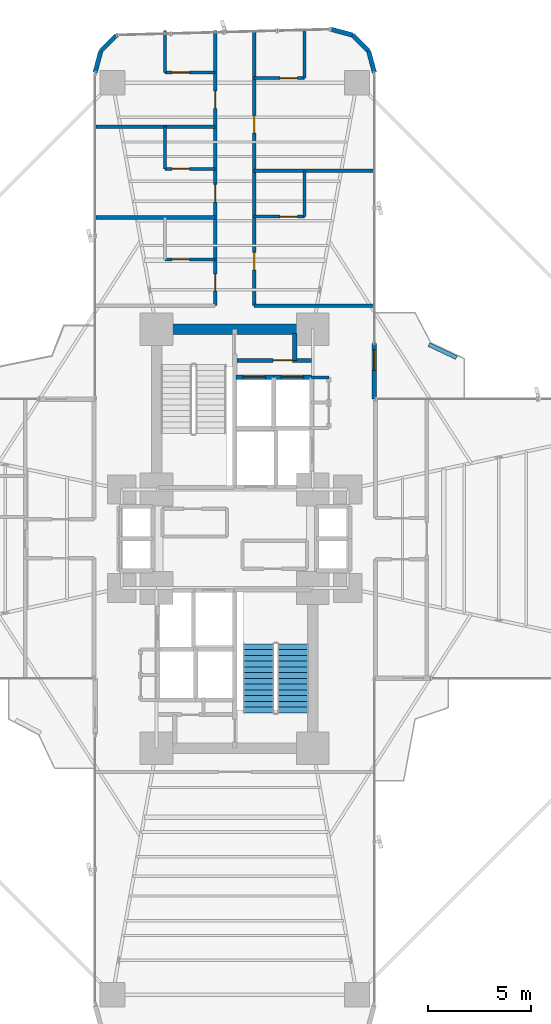
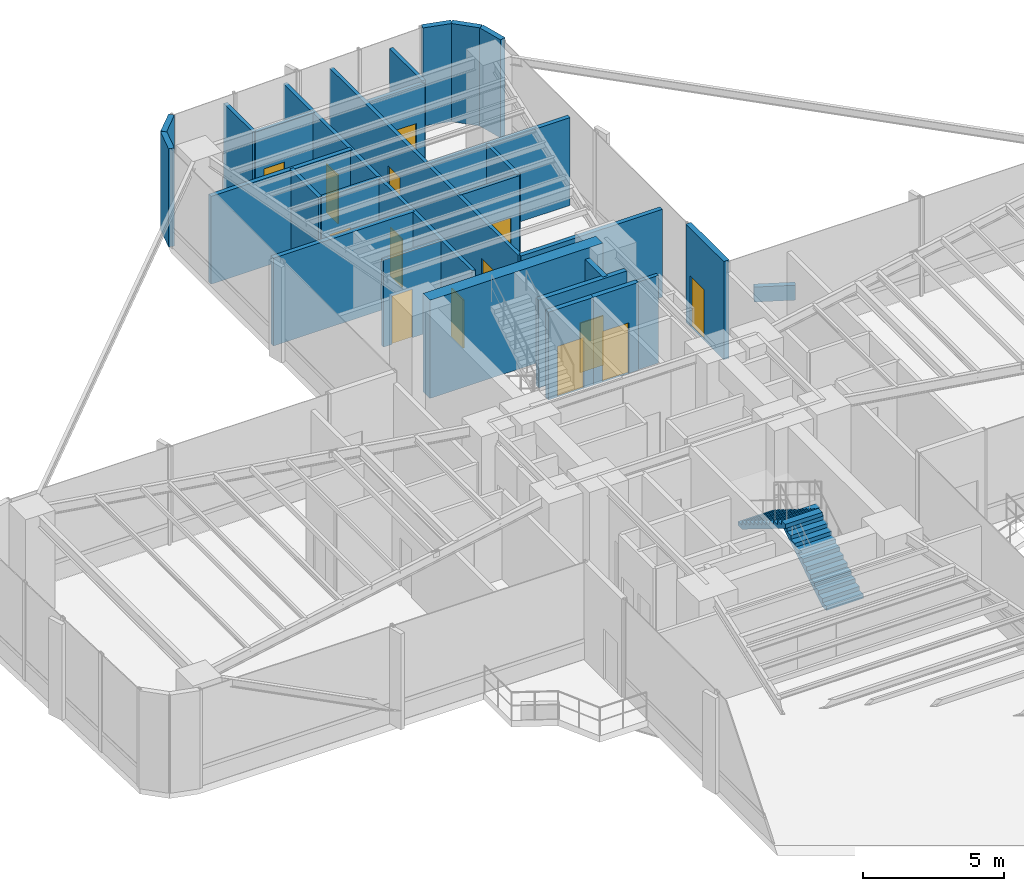
# One storey, part 18 of 20: 28 walls, 14 doors, 2 stair flights, 14 openings, 1 element without a shape of its own.
"""IFC4 building model written with IfcOpenShell, lengths in metres."""

from ifc_helpers import new_model, si_unit, direction, frame, frame_2d, origin, origin_2d, place, context, subcontext, project, spatial, polyline, rectangle, outline, extrude, source, transform, mapped, material, layer, layer_set, type_object, element, fill, aggregate, save


model = new_model("IFC4")

# Units and contexts
model_context = context("Model", 3, precision=1e-05, world=origin(), true_north=direction((0.0, 1.0)))
body_context = subcontext(model_context, "Body", "Model", "MODEL_VIEW")
ifc_project = project(units=[si_unit("LENGTHUNIT", "METRE"), si_unit("AREAUNIT", "SQUARE_METRE"), si_unit("VOLUMEUNIT", "CUBIC_METRE"), si_unit("PLANEANGLEUNIT", "RADIAN"), si_unit("MASSUNIT", "GRAM", prefix="KILO")], contexts=[model_context])

# Site, building, storey
site_placement = place(None, origin())
site = spatial("IfcSite", under=ifc_project, at=site_placement, CompositionType="ELEMENT")
building_placement = place(site_placement, origin())
building = spatial("IfcBuilding", under=site, at=building_placement, Name="Sahyath Konkavel Grand Hotel", CompositionType="ELEMENT")
storey_placement = place(building_placement, frame((0.0, 0.0, 46.550048828125)))
storey = spatial("IfcBuildingStorey", under=building, at=storey_placement, Name="L12", CompositionType="ELEMENT", Elevation=46.550048828125)

# Wall
ifc_material_1 = material(Name="Concrete C70/85", Category="concrete")
ifc_layer_1 = layer(ifc_material_1, 0.5)
ifc_layer_set_1 = layer_set([ifc_layer_1], Name="Concrete C70/85")
wall_type_1 = type_object("IfcWallType", Name="CWALL-500", PredefinedType="SHEAR", material=ifc_layer_set_1)
wall_1_placement = place(storey_placement, frame((-3.550048828125, 10.199951171875, 0.0), z_axis=(0.0, 0.0, 1.0), x_axis=(1.0, 0.0, 0.0)))
element("IfcWall", 1, at=wall_1_placement, inside=storey, type_object=wall_type_1, Name="L12 North Core Shear Wall N", PredefinedType="SHEAR", context=body_context, shape_type="SweptSolid", body=[
    extrude(rectangle(XDim=7.10009765625, YDim=0.5, at=frame_2d((3.550048828125, 0.0))), origin(), (0.0, 0.0, 1.0), 4.260009765625),
])

# Wall, opening, door
ifc_material_2 = material(Name="Warm Buff Sandstone Insulated Concrete C40/50", Category="masonry")
ifc_layer_2 = layer(ifc_material_2, 0.219970703125)
ifc_layer_set_2 = layer_set([ifc_layer_2], Name="Warm Buff Sandstone Insulated Concrete C40/50")
wall_type_2 = type_object("IfcWallType", Name="WLL-BALC-THRESH", PredefinedType="STANDARD", material=ifc_layer_set_2)
wall_2_placement = place(storey_placement, frame((6.800048828125, 6.800048828125, 0.0), z_axis=(0.0, 0.0, 1.0), x_axis=(0.0, 1.0, 0.0)))
wall_2 = element("IfcWall", 2, at=wall_2_placement, inside=storey, type_object=wall_type_2, Name="L12 Winter-Garden Threshold Wall 8", PredefinedType="STANDARD", context=body_context, shape_type="SweptSolid", body=[
    extrude(rectangle(XDim=2.699951171875, YDim=0.219970703125, at=frame_2d((1.35009765625, 0.0))), origin(), (0.0, 0.0, 1.0), 4.260009765625),
])
opening_1_placement = place(wall_2_placement, frame((1.39990234375, 0.0, 0.0)))
opening_1 = element("IfcOpeningElement", 3, at=opening_1_placement, cuts=wall_2, Name="Opening D-TR1", PredefinedType="OPENING", context=body_context, shape_type="SweptSolid", body=[
    extrude(rectangle(XDim=1.0, YDim=2.199951171875, at=frame_2d((0.5, 1.10009765625))), frame((0.0, 0.1201171875, 0.0), z_axis=(0.0, -1.0, 0.0), x_axis=(1.0, 0.0, 0.0)), (0.0, 0.0, 1.0), 0.239990234375),
])
ifc_material_3 = material(Name="Anodised Bronze Aluminium & Low-E Glazing", Category="aluminium")
door_type_1 = type_object("IfcDoorType", Name="DR-TERRACE-1000", OperationType="NOTDEFINED", PredefinedType="DOOR", material=ifc_material_3)
shared_shape_1 = source(origin(), body_context, "Body", "SweptSolid", [
    extrude(rectangle(XDim=1.0, YDim=0.050048828125, at=origin_2d()), origin(), (0.0, 0.0, 1.0), 2.199951171875),
])
door_1_placement = place(opening_1_placement, frame((0.5, 0.0, 0.0)))
door_1 = element("IfcDoor", 4, at=door_1_placement, inside=storey, type_object=door_type_1, Name="L12 Winter-Garden Terrace Door 8", OperationType="SINGLE_SWING_LEFT", OverallHeight=2.199951171875, OverallWidth=1.0, PredefinedType="DOOR", context=body_context, shape_type="MappedRepresentation", body=[
    mapped(shared_shape_1, transform((0.0, 0.0, 0.0), scale=1.0)),
])
fill(opening_1, door_1)

# Walls
for number, where, z_axis, x_axis, name in (
    (5, (6.800048828125, 22.699951171875, 0.0), (0.0, 0.0, 1.0), (-0.25872485917, 0.965951058412, 0.0), "L12 Rounded Corner Sandstone Pier 9"),
    (6, (6.518798828125, 23.75, 0.0), (0.0, 0.0, 1.0), (-0.707106781187, 0.707106781187, 0.0), "L12 Rounded Corner Sandstone Pier 10"),
    (7, (5.75, 24.518798828125, 0.0), (0.0, 0.0, 1.0), (-0.965951058412, 0.25872485917, 0.0), "L12 Rounded Corner Sandstone Pier 11"),
    (8, (-5.75, 24.518798828125, 0.0), (0.0, 0.0, 1.0), (-0.707106781187, -0.707106781187, 0.0), "L12 Rounded Corner Sandstone Pier 13"),
    (9, (-6.518798828125, 23.75, 0.0), (0.0, 0.0, 1.0), (-0.25872485917, -0.965951058412, 0.0), "L12 Rounded Corner Sandstone Pier 14"),
):
    element("IfcWall", number, at=place(storey_placement, frame(where, z_axis=z_axis, x_axis=x_axis)), inside=storey, type_object=wall_type_2, Name=name, PredefinedType="STANDARD", context=body_context, shape_type="SweptSolid", body=[
        extrude(rectangle(XDim=1.087158203125, YDim=0.219970703125, at=frame_2d((0.54345703125, 0.0))), origin(), (0.0, 0.0, 1.0), 4.260009765625),
    ])

# Wall, opening, door
ifc_material_4 = material(Name="Concrete C40/50", Category="concrete")
ifc_layer_3 = layer(ifc_material_4, 0.199951171875)
ifc_layer_set_3 = layer_set([ifc_layer_3], Name="Concrete C40/50")
wall_type_3 = type_object("IfcWallType", Name="WLL-CORE-200", PredefinedType="SOLIDWALL", material=ifc_layer_set_3)
wall_3_placement = place(storey_placement, frame((0.050048828125, 7.860107421875, 0.0), z_axis=(0.0, 0.0, 1.0), x_axis=(1.0, 0.0, 0.0)))
wall_3 = element("IfcWall", 10, at=wall_3_placement, inside=storey, type_object=wall_type_3, Name="L12 Partition SH-PL1-N", PredefinedType="SOLIDWALL", context=body_context, shape_type="SweptSolid", body=[
    extrude(rectangle(XDim=1.849853515625, YDim=0.199951171875, at=frame_2d((0.9248046875, 0.0))), origin(), (0.0, 0.0, 1.0), 3.81005859375),
])
opening_2_placement = place(wall_3_placement, frame((0.360107421875, 0.0, 0.0)))
opening_2 = element("IfcOpeningElement", 11, at=opening_2_placement, cuts=wall_3, Name="Opening LD-11", PredefinedType="OPENING", context=body_context, shape_type="SweptSolid", body=[
    extrude(rectangle(XDim=1.10009765625, YDim=2.199951171875, at=frame_2d((0.550048828125, 1.10009765625))), frame((0.0, 0.10986328125, 0.0), z_axis=(0.0, -1.0, 0.0), x_axis=(1.0, 0.0, 0.0)), (0.0, 0.0, 1.0), 0.219970703125),
])
ifc_material_5 = material(Name="Bronze Lift Landing Door 1100")
door_type_2 = type_object("IfcDoorType", Name="DR-LIFT-1100", OperationType="DOUBLE_DOOR_SLIDING", PredefinedType="DOOR", material=ifc_material_5)
shared_shape_2 = source(origin(), body_context, "Body", "SweptSolid", [
    extrude(rectangle(XDim=1.10009765625, YDim=0.050048828125, at=origin_2d()), origin(), (0.0, 0.0, 1.0), 2.199951171875),
])
door_2_placement = place(opening_2_placement, frame((0.550048828125, 0.0, 0.0)))
door_2 = element("IfcDoor", 12, at=door_2_placement, inside=storey, type_object=door_type_2, Name="L12 Passenger Lift PL-1 Landing Door", OperationType="DOUBLE_DOOR_SLIDING", OverallHeight=2.199951171875, OverallWidth=1.10009765625, PredefinedType="DOOR", context=body_context, shape_type="MappedRepresentation", body=[
    mapped(shared_shape_2, transform((0.0, 0.0, 0.0), scale=1.0)),
])
fill(opening_2, door_2)

wall_4_placement = place(storey_placement, frame((1.89990234375, 7.860107421875, 0.0), z_axis=(0.0, 0.0, 1.0), x_axis=(1.0, 0.0, 0.0)))
wall_4 = element("IfcWall", 13, at=wall_4_placement, inside=storey, type_object=wall_type_3, Name="L12 Partition SH-PL2-N", PredefinedType="SOLIDWALL", context=body_context, shape_type="SweptSolid", body=[
    extrude(rectangle(XDim=1.840087890625, YDim=0.199951171875, at=frame_2d((0.919921875, 0.0))), origin(), (0.0, 0.0, 1.0), 3.81005859375),
])
opening_3_placement = place(wall_4_placement, frame((0.360107421875, 0.0, 0.0)))
opening_3 = element("IfcOpeningElement", 14, at=opening_3_placement, cuts=wall_4, Name="Opening LD-11", PredefinedType="OPENING", context=body_context, shape_type="SweptSolid", body=[
    extrude(rectangle(XDim=1.10009765625, YDim=2.199951171875, at=frame_2d((0.550048828125, 1.10009765625))), frame((0.0, 0.10986328125, 0.0), z_axis=(0.0, -1.0, 0.0), x_axis=(1.0, 0.0, 0.0)), (0.0, 0.0, 1.0), 0.219970703125),
])
door_3_placement = place(opening_3_placement, frame((0.550048828125, 0.0, 0.0)))
door_3 = element("IfcDoor", 15, at=door_3_placement, inside=storey, type_object=door_type_2, Name="L12 Passenger Lift PL-2 Landing Door", OperationType="DOUBLE_DOOR_SLIDING", OverallHeight=2.199951171875, OverallWidth=1.10009765625, PredefinedType="DOOR", context=body_context, shape_type="MappedRepresentation", body=[
    mapped(shared_shape_2, transform((0.0, 0.0, 0.0), scale=1.0)),
])
fill(opening_3, door_3)

wall_5_placement = place(storey_placement, frame((0.1201171875, 8.679931640625, 0.0), z_axis=(0.0, 0.0, 1.0), x_axis=(1.0, 0.0, 0.0)))
wall_5 = element("IfcWall", 16, at=wall_5_placement, inside=storey, type_object=wall_type_3, Name="L12 North FF Lobby Separation Wall", PredefinedType="SOLIDWALL", context=body_context, shape_type="SweptSolid", body=[
    extrude(rectangle(XDim=3.619873046875, YDim=0.199951171875, at=frame_2d((1.81005859375, 0.0))), origin(), (0.0, 0.0, 1.0), 3.81005859375),
])
opening_4_placement = place(wall_5_placement, frame((1.75, 0.0, 0.0)))
opening_4 = element("IfcOpeningElement", 17, at=opening_4_placement, cuts=wall_5, Name="Opening D-F12C", PredefinedType="OPENING", context=body_context, shape_type="SweptSolid", body=[
    extrude(rectangle(XDim=0.949951171875, YDim=2.14990234375, at=frame_2d((0.47509765625, 1.074951171875))), frame((0.0, 0.10986328125, 0.0), z_axis=(0.0, -1.0, 0.0), x_axis=(1.0, 0.0, 0.0)), (0.0, 0.0, 1.0), 0.219970703125),
])
ifc_material_6 = material(Name="Steel E350 Plant Fire Door", Category="steel")
door_type_3 = type_object("IfcDoorType", Name="DR-FD120-950", OperationType="NOTDEFINED", PredefinedType="DOOR", material=ifc_material_6)
shared_shape_3 = source(origin(), body_context, "Body", "SweptSolid", [
    extrude(rectangle(XDim=0.949951171875, YDim=0.050048828125, at=origin_2d()), origin(), (0.0, 0.0, 1.0), 2.14990234375),
])
door_4_placement = place(opening_4_placement, frame((0.47509765625, 0.0, 0.0)))
door_4 = element("IfcDoor", 18, at=door_4_placement, inside=storey, type_object=door_type_3, Name="L12 North Firefighting Lobby Door", OperationType="SINGLE_SWING_LEFT", OverallHeight=2.14990234375, OverallWidth=0.949951171875, PredefinedType="DOOR", context=body_context, shape_type="MappedRepresentation", body=[
    mapped(shared_shape_3, transform((0.0, 0.0, 0.0), scale=1.0)),
])
fill(opening_4, door_4)

# Walls
wall_6_placement = place(storey_placement, frame((2.919921875, 8.679931640625, 0.0), z_axis=(0.0, 0.0, 1.0), x_axis=(0.0, 1.0, 0.0)))
element("IfcWall", 19, at=wall_6_placement, inside=storey, type_object=wall_type_3, Name="L12 Partition NFF-E2", PredefinedType="SOLIDWALL", context=body_context, shape_type="SweptSolid", body=[
    extrude(rectangle(XDim=1.320068359375, YDim=0.199951171875, at=frame_2d((0.66015625, 0.0))), origin(), (0.0, 0.0, 1.0), 3.81005859375),
])
ifc_material_7 = material(Name="Twin-Stud Acoustic Gypsum Plasterboard Partition")
ifc_layer_4 = layer(ifc_material_7, 0.179931640625)
ifc_layer_set_4 = layer_set([ifc_layer_4], Name="Twin-Stud Acoustic Gypsum Plasterboard Partition")
wall_type_4 = type_object("IfcWallType", Name="WLL-DEMISE-180", PredefinedType="PARTITIONING", material=ifc_layer_set_4)
for number, where, z_axis, x_axis, name in (
    (20, (6.75, 11.35009765625, 0.0), (0.0, 0.0, 1.0), (-1.0, 0.0, 0.0), "L12 Partition N-INR"),
    (21, (-0.949951171875, 15.637939453125, 0.0), (0.0, 0.0, 1.0), (-1.0, 0.0, 0.0), "L12 Partition N-N1L-DEM"),
    (22, (-0.949951171875, 20.06005859375, 0.0), (0.0, 0.0, 1.0), (-1.0, 0.0, 0.0), "L12 Partition N-N2L-DEM"),
    (23, (0.949951171875, 17.916015625, 0.0), (0.0, 0.0, 1.0), (1.0, 0.0, 0.0), "L12 Partition N-N1R-DEM"),
):
    element("IfcWall", number, at=place(storey_placement, frame(where, z_axis=z_axis, x_axis=x_axis)), inside=storey, type_object=wall_type_4, Name=name, PredefinedType="PARTITIONING", context=body_context, shape_type="SweptSolid", body=[
        extrude(rectangle(XDim=5.800048828125, YDim=0.179931640625, at=frame_2d((2.89990234375, 0.0))), origin(), (0.0, 0.0, 1.0), 3.81005859375),
    ])
ifc_material_8 = material(Name="Fire-Rated Gypsum Plasterboard Partition")
ifc_layer_5 = layer(ifc_material_8, 0.14990234375)
ifc_layer_set_5 = layer_set([ifc_layer_5], Name="Fire-Rated Gypsum Plasterboard Partition")
wall_type_5 = type_object("IfcWallType", Name="WLL-PART-150", PredefinedType="PARTITIONING", material=ifc_layer_set_5)
wall_7_placement = place(storey_placement, frame((3.739990234375, 7.860107421875, 0.0), z_axis=(0.0, 0.0, 1.0), x_axis=(1.0, 0.0, 0.0)))
element("IfcWall", 24, at=wall_7_placement, inside=storey, type_object=wall_type_5, Name="L12 Partition NC-FLK-N", PredefinedType="PARTITIONING", context=body_context, shape_type="SweptSolid", body=[
    extrude(rectangle(XDim=0.840087890625, YDim=0.14990234375, at=frame_2d((0.419921875, 0.0))), origin(), (0.0, 0.0, 1.0), 3.81005859375),
])

# Wall, openings, doors
wall_8_placement = place(storey_placement, frame((-0.949951171875, 11.35009765625, 0.0), z_axis=(0.0, 0.0, 1.0), x_axis=(0.0, 1.0, 0.0)))
wall_8 = element("IfcWall", 25, at=wall_8_placement, inside=storey, type_object=wall_type_5, Name="L12 Partition N-CL", PredefinedType="PARTITIONING", context=body_context, shape_type="SweptSolid", body=[
    extrude(rectangle(XDim=13.39990234375, YDim=0.14990234375, at=frame_2d((6.699951171875, 0.0))), origin(), (0.0, 0.0, 1.0), 3.81005859375),
])
opening_5_placement = place(wall_8_placement, frame((0.699951171875, 0.0, 0.0)))
opening_5 = element("IfcOpeningElement", 26, at=opening_5_placement, cuts=wall_8, Name="Opening D-F06D", PredefinedType="OPENING", context=body_context, shape_type="SweptSolid", body=[
    extrude(rectangle(XDim=0.85009765625, YDim=2.10009765625, at=frame_2d((0.425048828125, 1.050048828125))), frame((0.0, 0.0849609375, 0.0), z_axis=(0.0, -1.0, 0.0), x_axis=(1.0, 0.0, 0.0)), (0.0, 0.0, 1.0), 0.169921875),
])
opening_6_placement = place(wall_8_placement, frame((5.049072265625, 0.0, 0.0)))
opening_6 = element("IfcOpeningElement", 27, at=opening_6_placement, cuts=wall_8, Name="Opening D-F06D", PredefinedType="OPENING", context=body_context, shape_type="SweptSolid", body=[
    extrude(rectangle(XDim=0.85009765625, YDim=2.10009765625, at=frame_2d((0.425048828125, 1.050048828125))), frame((0.0, 0.0849609375, 0.0), z_axis=(0.0, -1.0, 0.0), x_axis=(1.0, 0.0, 0.0)), (0.0, 0.0, 1.0), 0.169921875),
])
opening_7_placement = place(wall_8_placement, frame((9.60498046875, 0.0, 0.0)))
opening_7 = element("IfcOpeningElement", 28, at=opening_7_placement, cuts=wall_8, Name="Opening D-F06D", PredefinedType="OPENING", context=body_context, shape_type="SweptSolid", body=[
    extrude(rectangle(XDim=0.85009765625, YDim=2.10009765625, at=frame_2d((0.425048828125, 1.050048828125))), frame((0.0, 0.0849609375, 0.0), z_axis=(0.0, -1.0, 0.0), x_axis=(1.0, 0.0, 0.0)), (0.0, 0.0, 1.0), 0.169921875),
])
ifc_material_9 = material(Name="Fire-Rated Shaft Access Door")
door_type_4 = type_object("IfcDoorType", Name="DR-FD60-850", OperationType="NOTDEFINED", PredefinedType="DOOR", material=ifc_material_9)
shared_shape_4 = source(origin(), body_context, "Body", "SweptSolid", [
    extrude(rectangle(XDim=0.85009765625, YDim=0.050048828125, at=origin_2d()), origin(), (0.0, 0.0, 1.0), 2.10009765625),
])
door_5_placement = place(opening_5_placement, frame((0.425048828125, 0.0, 0.0)))
door_5 = element("IfcDoor", 29, at=door_5_placement, inside=storey, type_object=door_type_4, Name="L12 Door N-N1L-ED", OperationType="SINGLE_SWING_RIGHT", OverallHeight=2.10009765625, OverallWidth=0.85009765625, PredefinedType="DOOR", context=body_context, shape_type="MappedRepresentation", body=[
    mapped(shared_shape_4, transform((0.0, 0.0, 0.0), scale=1.0)),
])
fill(opening_5, door_5)
door_6_placement = place(opening_6_placement, frame((0.425048828125, 0.0, 0.0)))
door_6 = element("IfcDoor", 30, at=door_6_placement, inside=storey, type_object=door_type_4, Name="L12 Door N-N2L-ED", OperationType="SINGLE_SWING_RIGHT", OverallHeight=2.10009765625, OverallWidth=0.85009765625, PredefinedType="DOOR", context=body_context, shape_type="MappedRepresentation", body=[
    mapped(shared_shape_4, transform((0.0, 0.0, 0.0), scale=1.0)),
])
fill(opening_6, door_6)
door_7_placement = place(opening_7_placement, frame((0.425048828125, 0.0, 0.0)))
door_7 = element("IfcDoor", 31, at=door_7_placement, inside=storey, type_object=door_type_4, Name="L12 Door N-N3L-ED", OperationType="SINGLE_SWING_RIGHT", OverallHeight=2.10009765625, OverallWidth=0.85009765625, PredefinedType="DOOR", context=body_context, shape_type="MappedRepresentation", body=[
    mapped(shared_shape_4, transform((0.0, 0.0, 0.0), scale=1.0)),
])
fill(opening_7, door_7)

wall_9_placement = place(storey_placement, frame((0.949951171875, 11.35009765625, 0.0), z_axis=(0.0, 0.0, 1.0), x_axis=(0.0, 1.0, 0.0)))
wall_9 = element("IfcWall", 32, at=wall_9_placement, inside=storey, type_object=wall_type_5, Name="L12 Partition N-CR", PredefinedType="PARTITIONING", context=body_context, shape_type="SweptSolid", body=[
    extrude(rectangle(XDim=13.39990234375, YDim=0.14990234375, at=frame_2d((6.699951171875, 0.0))), origin(), (0.0, 0.0, 1.0), 3.81005859375),
])
opening_8_placement = place(wall_9_placement, frame((1.741943359375, 0.0, 0.0)))
opening_8 = element("IfcOpeningElement", 33, at=opening_8_placement, cuts=wall_9, Name="Opening D-F06D", PredefinedType="OPENING", context=body_context, shape_type="SweptSolid", body=[
    extrude(rectangle(XDim=0.85009765625, YDim=2.10009765625, at=frame_2d((0.425048828125, 1.050048828125))), frame((0.0, 0.0849609375, 0.0), z_axis=(0.0, -1.0, 0.0), x_axis=(1.0, 0.0, 0.0)), (0.0, 0.0, 1.0), 0.169921875),
])
opening_9_placement = place(wall_9_placement, frame((8.39599609375, 0.0, 0.0)))
opening_9 = element("IfcOpeningElement", 34, at=opening_9_placement, cuts=wall_9, Name="Opening D-F06D", PredefinedType="OPENING", context=body_context, shape_type="SweptSolid", body=[
    extrude(rectangle(XDim=0.85009765625, YDim=2.10009765625, at=frame_2d((0.425048828125, 1.050048828125))), frame((0.0, 0.0849609375, 0.0), z_axis=(0.0, -1.0, 0.0), x_axis=(1.0, 0.0, 0.0)), (0.0, 0.0, 1.0), 0.169921875),
])
door_8_placement = place(opening_8_placement, frame((0.425048828125, 0.0, 0.0)))
door_8 = element("IfcDoor", 35, at=door_8_placement, inside=storey, type_object=door_type_4, Name="L12 Door N-N1R-ED", OperationType="SINGLE_SWING_RIGHT", OverallHeight=2.10009765625, OverallWidth=0.85009765625, PredefinedType="DOOR", context=body_context, shape_type="MappedRepresentation", body=[
    mapped(shared_shape_4, transform((0.0, 0.0, 0.0), scale=1.0)),
])
fill(opening_8, door_8)
door_9_placement = place(opening_9_placement, frame((0.425048828125, 0.0, 0.0)))
door_9 = element("IfcDoor", 36, at=door_9_placement, inside=storey, type_object=door_type_4, Name="L12 Door N-N2R-ED", OperationType="SINGLE_SWING_RIGHT", OverallHeight=2.10009765625, OverallWidth=0.85009765625, PredefinedType="DOOR", context=body_context, shape_type="MappedRepresentation", body=[
    mapped(shared_shape_4, transform((0.0, 0.0, 0.0), scale=1.0)),
])
fill(opening_9, door_9)

# Wall, opening, door
wall_10_placement = place(storey_placement, frame((-0.949951171875, 13.60009765625, 0.0), z_axis=(0.0, 0.0, 1.0), x_axis=(-1.0, 0.0, 0.0)))
wall_10 = element("IfcWall", 37, at=wall_10_placement, inside=storey, type_object=wall_type_5, Name="L12 Partition N-N1L-BS", PredefinedType="PARTITIONING", context=body_context, shape_type="SweptSolid", body=[
    extrude(rectangle(XDim=2.449951171875, YDim=0.14990234375, at=frame_2d((1.22509765625, 0.0))), origin(), (0.0, 0.0, 1.0), 3.780029296875),
])
opening_10_placement = place(wall_10_placement, frame((1.25, 0.0, 0.0)))
opening_10 = element("IfcOpeningElement", 38, at=opening_10_placement, cuts=wall_10, Name="Opening D-BT85", PredefinedType="OPENING", context=body_context, shape_type="SweptSolid", body=[
    extrude(rectangle(XDim=0.85009765625, YDim=2.10009765625, at=frame_2d((0.425048828125, 1.050048828125))), frame((0.0, 0.0849609375, 0.0), z_axis=(0.0, -1.0, 0.0), x_axis=(1.0, 0.0, 0.0)), (0.0, 0.0, 1.0), 0.169921875),
])
ifc_material_10 = material(Name="Moisture-Resistant Teak Bathroom Door")
door_type_5 = type_object("IfcDoorType", Name="DR-BATH-850", OperationType="NOTDEFINED", PredefinedType="DOOR", material=ifc_material_10)
door_10_placement = place(opening_10_placement, frame((0.425048828125, 0.0, 0.0)))
door_10 = element("IfcDoor", 39, at=door_10_placement, inside=storey, type_object=door_type_5, Name="L12 Door N-N1L-BD", OperationType="SINGLE_SWING_LEFT", OverallHeight=2.10009765625, OverallWidth=0.85009765625, PredefinedType="DOOR", context=body_context, shape_type="MappedRepresentation", body=[
    mapped(shared_shape_4, transform((0.0, 0.0, 0.0), scale=1.0)),
])
fill(opening_10, door_10)

wall_11_placement = place(storey_placement, frame((-0.949951171875, 18.010009765625, 0.0), z_axis=(0.0, 0.0, 1.0), x_axis=(-1.0, 0.0, 0.0)))
wall_11 = element("IfcWall", 40, at=wall_11_placement, inside=storey, type_object=wall_type_5, Name="L12 Partition N-N2L-BS", PredefinedType="PARTITIONING", context=body_context, shape_type="SweptSolid", body=[
    extrude(rectangle(XDim=2.449951171875, YDim=0.14990234375, at=frame_2d((1.22509765625, 0.0))), origin(), (0.0, 0.0, 1.0), 3.81005859375),
])
opening_11_placement = place(wall_11_placement, frame((1.25, 0.0, 0.0)))
opening_11 = element("IfcOpeningElement", 41, at=opening_11_placement, cuts=wall_11, Name="Opening D-BT85", PredefinedType="OPENING", context=body_context, shape_type="SweptSolid", body=[
    extrude(rectangle(XDim=0.85009765625, YDim=2.10009765625, at=frame_2d((0.425048828125, 1.050048828125))), frame((0.0, 0.0849609375, 0.0), z_axis=(0.0, -1.0, 0.0), x_axis=(1.0, 0.0, 0.0)), (0.0, 0.0, 1.0), 0.169921875),
])
door_11_placement = place(opening_11_placement, frame((0.425048828125, 0.0, 0.0)))
door_11 = element("IfcDoor", 42, at=door_11_placement, inside=storey, type_object=door_type_5, Name="L12 Door N-N2L-BD", OperationType="SINGLE_SWING_LEFT", OverallHeight=2.10009765625, OverallWidth=0.85009765625, PredefinedType="DOOR", context=body_context, shape_type="MappedRepresentation", body=[
    mapped(shared_shape_4, transform((0.0, 0.0, 0.0), scale=1.0)),
])
fill(opening_11, door_11)

# Wall
wall_12_placement = place(storey_placement, frame((-3.39990234375, 18.010009765625, 0.0), z_axis=(0.0, 0.0, 1.0), x_axis=(0.0, 1.0, 0.0)))
element("IfcWall", 43, at=wall_12_placement, inside=storey, type_object=wall_type_5, Name="L12 Partition N-N2L-BF", PredefinedType="PARTITIONING", context=body_context, shape_type="SweptSolid", body=[
    extrude(rectangle(XDim=2.050048828125, YDim=0.14990234375, at=frame_2d((1.02490234375, 0.0))), origin(), (0.0, 0.0, 1.0), 3.81005859375),
])

# Wall, opening, door
wall_13_placement = place(storey_placement, frame((-0.949951171875, 22.699951171875, 0.0), z_axis=(0.0, 0.0, 1.0), x_axis=(-1.0, 0.0, 0.0)))
wall_13 = element("IfcWall", 44, at=wall_13_placement, inside=storey, type_object=wall_type_5, Name="L12 Partition N-N3L-BS", PredefinedType="PARTITIONING", context=body_context, shape_type="SweptSolid", body=[
    extrude(rectangle(XDim=2.449951171875, YDim=0.14990234375, at=frame_2d((1.22509765625, 0.0))), origin(), (0.0, 0.0, 1.0), 3.81005859375),
])
opening_12_placement = place(wall_13_placement, frame((1.25, 0.0, 0.0)))
opening_12 = element("IfcOpeningElement", 45, at=opening_12_placement, cuts=wall_13, Name="Opening D-BT85", PredefinedType="OPENING", context=body_context, shape_type="SweptSolid", body=[
    extrude(rectangle(XDim=0.85009765625, YDim=2.10009765625, at=frame_2d((0.425048828125, 1.050048828125))), frame((0.0, 0.0849609375, 0.0), z_axis=(0.0, -1.0, 0.0), x_axis=(1.0, 0.0, 0.0)), (0.0, 0.0, 1.0), 0.169921875),
])
door_12_placement = place(opening_12_placement, frame((0.425048828125, 0.0, 0.0)))
door_12 = element("IfcDoor", 46, at=door_12_placement, inside=storey, type_object=door_type_5, Name="L12 Door N-N3L-BD", OperationType="SINGLE_SWING_LEFT", OverallHeight=2.10009765625, OverallWidth=0.85009765625, PredefinedType="DOOR", context=body_context, shape_type="MappedRepresentation", body=[
    mapped(shared_shape_4, transform((0.0, 0.0, 0.0), scale=1.0)),
])
fill(opening_12, door_12)

# Wall
wall_14_placement = place(storey_placement, frame((-3.39990234375, 22.699951171875, 0.0), z_axis=(0.0, 0.0, 1.0), x_axis=(0.0, 1.0, 0.0)))
element("IfcWall", 47, at=wall_14_placement, inside=storey, type_object=wall_type_5, Name="L12 Partition N-N3L-BF", PredefinedType="PARTITIONING", context=body_context, shape_type="SweptSolid", body=[
    extrude(rectangle(XDim=2.050048828125, YDim=0.14990234375, at=frame_2d((1.02490234375, 0.0))), origin(), (0.0, 0.0, 1.0), 3.81005859375),
])

# Wall, opening, door
wall_15_placement = place(storey_placement, frame((0.949951171875, 15.68408203125, 0.0), z_axis=(0.0, 0.0, 1.0), x_axis=(1.0, 0.0, 0.0)))
wall_15 = element("IfcWall", 48, at=wall_15_placement, inside=storey, type_object=wall_type_5, Name="L12 Partition N-N1R-BS", PredefinedType="PARTITIONING", context=body_context, shape_type="SweptSolid", body=[
    extrude(rectangle(XDim=2.449951171875, YDim=0.14990234375, at=frame_2d((1.22509765625, 0.0))), origin(), (0.0, 0.0, 1.0), 3.81005859375),
])
opening_13_placement = place(wall_15_placement, frame((1.25, 0.0, 0.0)))
opening_13 = element("IfcOpeningElement", 49, at=opening_13_placement, cuts=wall_15, Name="Opening D-BT85", PredefinedType="OPENING", context=body_context, shape_type="SweptSolid", body=[
    extrude(rectangle(XDim=0.85009765625, YDim=2.10009765625, at=frame_2d((0.425048828125, 1.050048828125))), frame((0.0, 0.0849609375, 0.0), z_axis=(0.0, -1.0, 0.0), x_axis=(1.0, 0.0, 0.0)), (0.0, 0.0, 1.0), 0.169921875),
])
door_13_placement = place(opening_13_placement, frame((0.425048828125, 0.0, 0.0)))
door_13 = element("IfcDoor", 50, at=door_13_placement, inside=storey, type_object=door_type_5, Name="L12 Door N-N1R-BD", OperationType="SINGLE_SWING_LEFT", OverallHeight=2.10009765625, OverallWidth=0.85009765625, PredefinedType="DOOR", context=body_context, shape_type="MappedRepresentation", body=[
    mapped(shared_shape_4, transform((0.0, 0.0, 0.0), scale=1.0)),
])
fill(opening_13, door_13)

# Wall
wall_16_placement = place(storey_placement, frame((3.39990234375, 15.68408203125, 0.0), z_axis=(0.0, 0.0, 1.0), x_axis=(0.0, 1.0, 0.0)))
element("IfcWall", 51, at=wall_16_placement, inside=storey, type_object=wall_type_5, Name="L12 Partition N-N1R-BF", PredefinedType="PARTITIONING", context=body_context, shape_type="SweptSolid", body=[
    extrude(rectangle(XDim=2.23193359375, YDim=0.14990234375, at=frame_2d((1.115966796875, 0.0))), origin(), (0.0, 0.0, 1.0), 3.81005859375),
])

# Wall, opening, door
wall_17_placement = place(storey_placement, frame((0.949951171875, 22.426025390625, 0.0), z_axis=(0.0, 0.0, 1.0), x_axis=(1.0, 0.0, 0.0)))
wall_17 = element("IfcWall", 52, at=wall_17_placement, inside=storey, type_object=wall_type_5, Name="L12 Partition N-N2R-BS", PredefinedType="PARTITIONING", context=body_context, shape_type="SweptSolid", body=[
    extrude(rectangle(XDim=2.449951171875, YDim=0.14990234375, at=frame_2d((1.22509765625, 0.0))), origin(), (0.0, 0.0, 1.0), 3.72998046875),
])
opening_14_placement = place(wall_17_placement, frame((1.25, 0.0, 0.0)))
opening_14 = element("IfcOpeningElement", 53, at=opening_14_placement, cuts=wall_17, Name="Opening D-BT85", PredefinedType="OPENING", context=body_context, shape_type="SweptSolid", body=[
    extrude(rectangle(XDim=0.85009765625, YDim=2.10009765625, at=frame_2d((0.425048828125, 1.050048828125))), frame((0.0, 0.0849609375, 0.0), z_axis=(0.0, -1.0, 0.0), x_axis=(1.0, 0.0, 0.0)), (0.0, 0.0, 1.0), 0.169921875),
])
door_14_placement = place(opening_14_placement, frame((0.425048828125, 0.0, 0.0)))
door_14 = element("IfcDoor", 54, at=door_14_placement, inside=storey, type_object=door_type_5, Name="L12 Door N-N2R-BD", OperationType="SINGLE_SWING_LEFT", OverallHeight=2.10009765625, OverallWidth=0.85009765625, PredefinedType="DOOR", context=body_context, shape_type="MappedRepresentation", body=[
    mapped(shared_shape_4, transform((0.0, 0.0, 0.0), scale=1.0)),
])
fill(opening_14, door_14)

# Walls
wall_18_placement = place(storey_placement, frame((3.39990234375, 22.426025390625, 0.0), z_axis=(0.0, 0.0, 1.0), x_axis=(0.0, 1.0, 0.0)))
element("IfcWall", 55, at=wall_18_placement, inside=storey, type_object=wall_type_5, Name="L12 Partition N-N2R-BF", PredefinedType="PARTITIONING", context=body_context, shape_type="SweptSolid", body=[
    extrude(rectangle(XDim=2.323974609375, YDim=0.14990234375, at=frame_2d((1.162109375, 0.0))), origin(), (0.0, 0.0, 1.0), 3.81005859375),
])
ifc_material_11 = material(Name="Warm Buff Sandstone Planter Wall", Category="masonry")
ifc_layer_6 = layer(ifc_material_11, 0.199951171875)
ifc_layer_set_6 = layer_set([ifc_layer_6], Name="Warm Buff Sandstone Planter Wall")
wall_type_6 = type_object("IfcWallType", Name="WLL-PLANTER-200", PredefinedType="PARAPET", material=ifc_layer_set_6)
wall_19_placement = place(storey_placement, frame((10.793701171875, 8.81884765625, 0.0), z_axis=(0.0, 0.0, 1.0), x_axis=(-0.903909527408, 0.42772370318, 0.0)))
element("IfcWall", 56, at=wall_19_placement, inside=storey, type_object=wall_type_6, Name="L12 Sky-Garden Stone Planter PLANTER NE", PredefinedType="PARAPET", context=body_context, shape_type="SweptSolid", body=[
    extrude(rectangle(XDim=1.47607421875, YDim=0.199951171875, at=frame_2d((0.738037109375, 0.0))), origin(), (0.0, 0.0, 1.0), 0.64990234375),
])

# Stair, stair flights
stair_type = type_object("IfcStairType", Name="STR-ST16-450", PredefinedType="HALF_TURN_STAIR", material=ifc_material_4)
stair_placement = place(storey_placement, origin())
stair = element("IfcStair", 57, at=stair_placement, inside=storey, type_object=stair_type, Name="L12 South Core Smokeproof Exit Stair ST-2", PredefinedType="HALF_TURN_STAIR")
stair_flight_type = type_object("IfcStairFlightType", Name="STF-ST16-450", PredefinedType="STRAIGHT", material=ifc_material_4)
stair_flight_1_placement = place(storey_placement, frame((2.840087890625, -8.47998046875, 0.0), z_axis=(0.0, 0.0, 1.0), x_axis=(0.0, 1.0, 0.0)))
stair_flight_1 = element("IfcStairFlight", 58, at=stair_flight_1_placement, type_object=stair_flight_type, Name="ST-2 flight 1", NumberOfRisers=13, NumberOfTreads=12, PredefinedType="STRAIGHT", RiserHeight=0.173076923, TreadLength=0.28, context=body_context, shape_type="SweptSolid", body=[
    extrude(outline(polyline([(0.0, 0.0), (0.0, 0.173095703125), (0.280029296875, 0.173095703125), (0.280029296875, 0.34619140625), (0.56005859375, 0.34619140625), (0.56005859375, 0.519287109375), (0.840087890625, 0.519287109375), (0.840087890625, 0.6923828125), (1.1201171875, 0.6923828125), (1.1201171875, 0.865478515625), (1.39990234375, 0.865478515625), (1.39990234375, 1.03857421875), (1.679931640625, 1.03857421875), (1.679931640625, 1.21142578125), (1.9599609375, 1.21142578125), (1.9599609375, 1.384521484375), (2.239990234375, 1.384521484375), (2.239990234375, 1.5576171875), (2.52001953125, 1.5576171875), (2.52001953125, 1.730712890625), (2.800048828125, 1.730712890625), (2.800048828125, 1.90380859375), (3.080078125, 1.90380859375), (3.080078125, 2.076904296875), (3.360107421875, 2.076904296875), (3.360107421875, 2.25), (3.360107421875, 1.900634765625), (0.28515625, 0.0), (0.0, 0.0)])), frame((0.0, 0.760009765625, 0.0), z_axis=(0.0, -1.0, 0.0), x_axis=(1.0, 0.0, 0.0)), (0.0, 0.0, 1.0), 1.52001953125),
])
stair_flight_2_placement = place(storey_placement, frame((1.159912109375, -5.1201171875, 2.25), z_axis=(0.0, 0.0, 1.0), x_axis=(0.0, -1.0, 0.0)))
stair_flight_2 = element("IfcStairFlight", 59, at=stair_flight_2_placement, type_object=stair_flight_type, Name="ST-2 flight 2", NumberOfRisers=13, NumberOfTreads=12, PredefinedType="STRAIGHT", RiserHeight=0.173076923, TreadLength=0.28, context=body_context, shape_type="SweptSolid", body=[
    extrude(outline(polyline([(0.0, 0.0), (0.0, 0.173095703125), (0.280029296875, 0.173095703125), (0.280029296875, 0.34619140625), (0.56005859375, 0.34619140625), (0.56005859375, 0.519287109375), (0.840087890625, 0.519287109375), (0.840087890625, 0.6923828125), (1.1201171875, 0.6923828125), (1.1201171875, 0.865478515625), (1.39990234375, 0.865478515625), (1.39990234375, 1.03857421875), (1.679931640625, 1.03857421875), (1.679931640625, 1.21142578125), (1.9599609375, 1.21142578125), (1.9599609375, 1.384521484375), (2.239990234375, 1.384521484375), (2.239990234375, 1.5576171875), (2.52001953125, 1.5576171875), (2.52001953125, 1.730712890625), (2.800048828125, 1.730712890625), (2.800048828125, 1.90380859375), (3.080078125, 1.90380859375), (3.080078125, 2.076904296875), (3.360107421875, 2.076904296875), (3.360107421875, 2.25), (3.360107421875, 1.900634765625), (0.28515625, 0.0), (0.0, 0.0)])), frame((0.0, 0.760009765625, 0.0), z_axis=(0.0, -1.0, 0.0), x_axis=(1.0, 0.0, 0.0)), (0.0, 0.0, 1.0), 1.52001953125),
])
aggregate(stair, [stair_flight_1, stair_flight_2])

save(model, "model.ifc")
